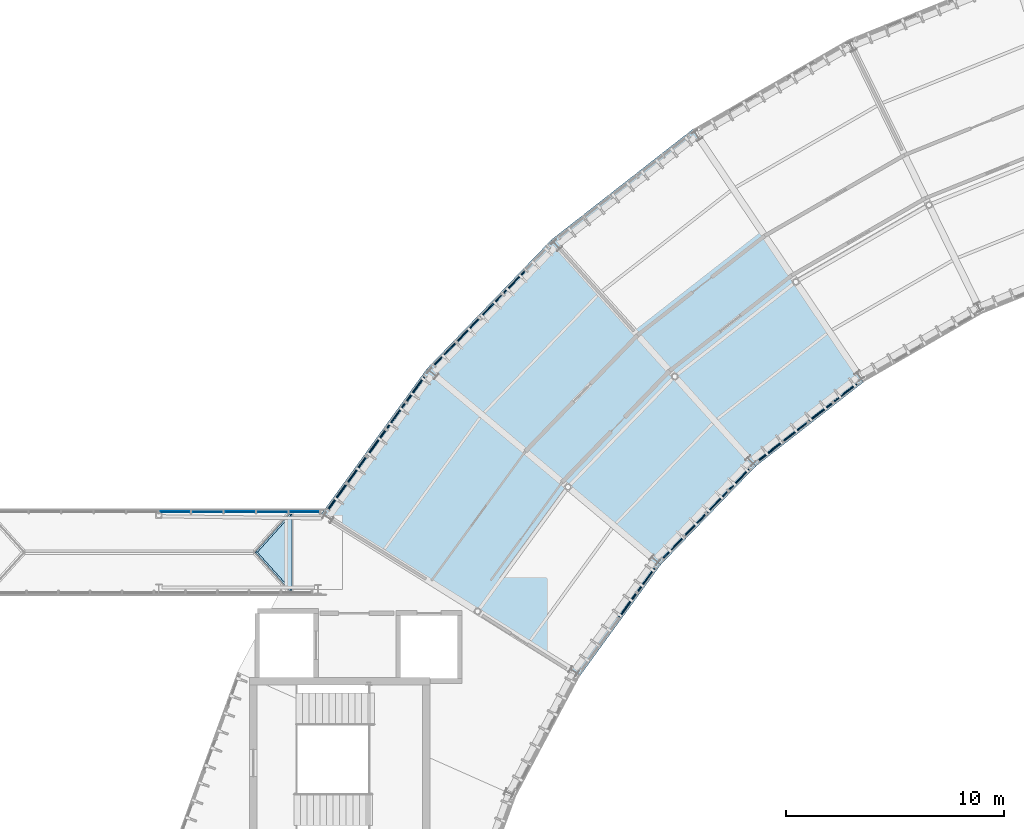
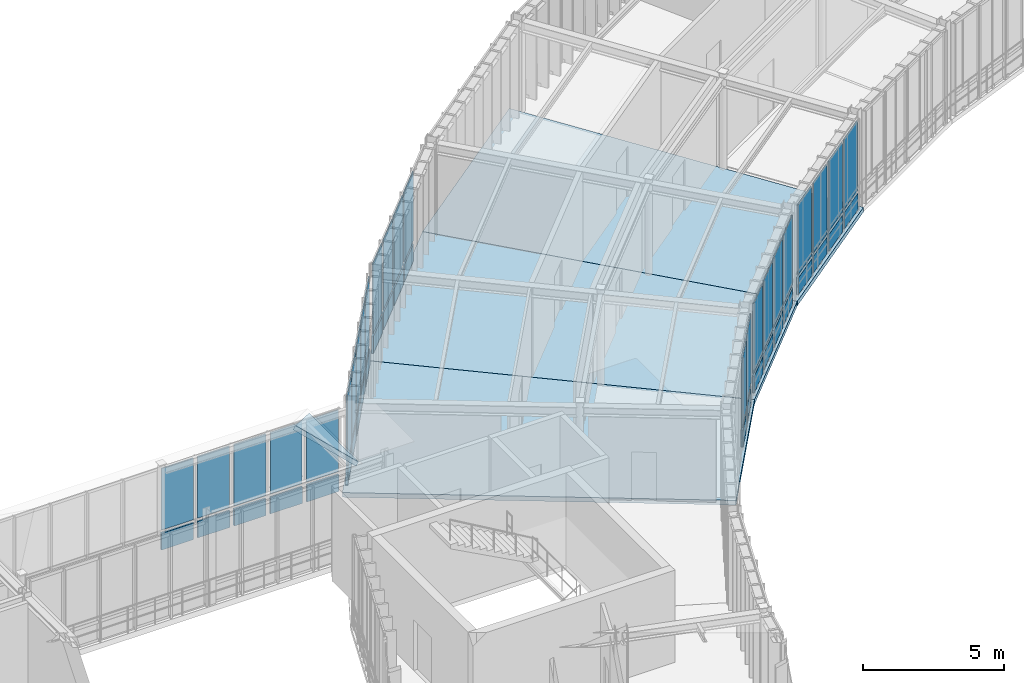
# One storey, part 26 of 52: 48 plates, 4 slabs, 6 elements without a shape of their own.
"""IFC4 building model written with IfcOpenShell, lengths in metres."""

from ifc_helpers import new_model, si_unit, direction, frame, origin, origin_2d, place, context, subcontext, project, spatial, polyline, rectangle, outline, extrude, material, layer, layer_set, type_object, element, aggregate, save


model = new_model("IFC4")

# Units and contexts
model_context = context("Model", 3, precision=1e-05, world=origin(), true_north=direction((0.0, 1.0)))
body_context = subcontext(model_context, "Body", "Model", "MODEL_VIEW")
ifc_project = project(units=[si_unit("LENGTHUNIT", "METRE"), si_unit("AREAUNIT", "SQUARE_METRE"), si_unit("VOLUMEUNIT", "CUBIC_METRE"), si_unit("PLANEANGLEUNIT", "RADIAN"), si_unit("MASSUNIT", "GRAM", prefix="KILO"), si_unit("THERMODYNAMICTEMPERATUREUNIT", "KELVIN"), si_unit("POWERUNIT", "WATT")], contexts=[model_context])

# Site, building, storey
site_placement = place(None, origin())
site = spatial("IfcSite", under=ifc_project, at=site_placement, CompositionType="ELEMENT")
building_placement = place(site_placement, origin())
building = spatial("IfcBuilding", under=site, at=building_placement, Name="Solvatero Civic Police Headquarters", CompositionType="ELEMENT")
storey_placement = place(building_placement, frame((0.0, 0.0, 13.5)))
storey = spatial("IfcBuildingStorey", under=building, at=storey_placement, Name="L03", CompositionType="ELEMENT", Elevation=13.5)

# Curtain wall, plates
ifc_material_1 = material(Name="Anodized Bronze Aluminium", Category="aluminium")
ifc_layer_1 = layer(ifc_material_1, 0.179931640625)
ifc_layer_set_1 = layer_set([ifc_layer_1], Name="Anodized Bronze Aluminium")
curtain_wall_type_1 = type_object("IfcCurtainWallType", Name="CW-ARC-IN", PredefinedType="USERDEFINED", material=ifc_layer_set_1)
curtain_wall_1_placement = place(storey_placement, origin())
curtain_wall_1 = element("IfcCurtainWall", 1, at=curtain_wall_1_placement, inside=storey, type_object=curtain_wall_type_1, Name="Curtain Wall CW-R2-L03-ARC-IN-B06", ObjectType="UNITISED", PredefinedType="USERDEFINED")
ifc_material_2 = material(Name="Triple Low-E Laminated Glass", Category="glass")
ifc_layer_2 = layer(ifc_material_2, 0.0380859375)
ifc_layer_set_2 = layer_set([ifc_layer_2], Name="Triple Low-E Laminated Glass")
plate_type_1 = type_object("IfcPlateType", Name="CWP-GLZ-38", PredefinedType="CURTAIN_PANEL", material=ifc_layer_set_2)
plate_1_placement = place(storey_placement, frame((68.016845703125, 62.818359375, 0.91015625), z_axis=(0.0, 0.0, 1.0), x_axis=(-0.788010753607, -0.615661475326, 0.0)))
plate_1 = element("IfcPlate", 2, at=plate_1_placement, type_object=plate_type_1, Name="CW-R2-L03-ARC-IN-B06 Vision Glazing 1", PredefinedType="CURTAIN_PANEL", context=body_context, shape_type="SweptSolid", body=[
    extrude(rectangle(XDim=1.28173828125, YDim=0.0380859375, at=origin_2d()), origin(), (0.0, 0.0, 1.0), 3.030029296875),
])
plate_2_placement = place(storey_placement, frame((65.712890625, 61.0185546875, 0.91015625), z_axis=(0.0, 0.0, 1.0), x_axis=(-0.788010753607, -0.615661475326, 0.0)))
plate_2 = element("IfcPlate", 3, at=plate_2_placement, type_object=plate_type_1, Name="CW-R2-L03-ARC-IN-B06 Vision Glazing 3", PredefinedType="CURTAIN_PANEL", context=body_context, shape_type="SweptSolid", body=[
    extrude(rectangle(XDim=1.28173828125, YDim=0.0380859375, at=origin_2d()), origin(), (0.0, 0.0, 1.0), 3.030029296875),
])

ifc_layer_3 = layer(ifc_material_1, 0.179931640625)
ifc_layer_set_3 = layer_set([ifc_layer_3], Name="Anodized Bronze Aluminium")
curtain_wall_type_2 = type_object("IfcCurtainWallType", Name="CW-ARC-OUT", PredefinedType="USERDEFINED", material=ifc_layer_set_3)
curtain_wall_2_placement = place(storey_placement, origin())
curtain_wall_2 = element("IfcCurtainWall", 4, at=curtain_wall_2_placement, inside=storey, type_object=curtain_wall_type_2, Name="Curtain Wall CW-R2-L03-ARC-OUT-B07", ObjectType="UNITISED", PredefinedType="USERDEFINED")
plate_3_placement = place(storey_placement, frame((52.8115234375, 67.90283203125, 0.91015625), z_axis=(0.0, 0.0, 1.0), x_axis=(-0.694645815505, -0.719351924305, 0.0)))
plate_3 = element("IfcPlate", 5, at=plate_3_placement, type_object=plate_type_1, Name="CW-R2-L03-ARC-OUT-B07 Vision Glazing 2", PredefinedType="CURTAIN_PANEL", context=body_context, shape_type="SweptSolid", body=[
    extrude(rectangle(XDim=1.3505859375, YDim=0.0380859375, at=origin_2d()), origin(), (0.0, 0.0, 1.0), 3.030029296875),
])
plate_4_placement = place(storey_placement, frame((50.685302734375, 65.700927734375, 0.91015625), z_axis=(0.0, 0.0, 1.0), x_axis=(-0.694645815505, -0.719351924305, 0.0)))
plate_4 = element("IfcPlate", 6, at=plate_4_placement, type_object=plate_type_1, Name="CW-R2-L03-ARC-OUT-B07 Vision Glazing 4", PredefinedType="CURTAIN_PANEL", context=body_context, shape_type="SweptSolid", body=[
    extrude(rectangle(XDim=1.3505859375, YDim=0.0380859375, at=origin_2d()), origin(), (0.0, 0.0, 1.0), 3.030029296875),
])

curtain_wall_3_placement = place(storey_placement, origin())
curtain_wall_3 = element("IfcCurtainWall", 7, at=curtain_wall_3_placement, inside=storey, type_object=curtain_wall_type_1, Name="Curtain Wall CW-R2-L03-ARC-IN-B07", ObjectType="UNITISED", PredefinedType="USERDEFINED")
plate_5_placement = place(storey_placement, frame((63.1455078125, 58.843994140625, 0.91015625), z_axis=(0.0, 0.0, 1.0), x_axis=(-0.694658370459, -0.719339800339, 0.0)))
plate_5 = element("IfcPlate", 8, at=plate_5_placement, type_object=plate_type_1, Name="CW-R2-L03-ARC-IN-B07 Vision Glazing 1", PredefinedType="CURTAIN_PANEL", context=body_context, shape_type="SweptSolid", body=[
    extrude(rectangle(XDim=1.28173828125, YDim=0.0380859375, at=origin_2d()), origin(), (0.0, 0.0, 1.0), 3.030029296875),
])
plate_6_placement = place(storey_placement, frame((61.11474609375, 56.740966796875, 0.91015625), z_axis=(0.0, 0.0, 1.0), x_axis=(-0.694658370459, -0.719339800339, 0.0)))
plate_6 = element("IfcPlate", 9, at=plate_6_placement, type_object=plate_type_1, Name="CW-R2-L03-ARC-IN-B07 Vision Glazing 3", PredefinedType="CURTAIN_PANEL", context=body_context, shape_type="SweptSolid", body=[
    extrude(rectangle(XDim=1.28173828125, YDim=0.0380859375, at=origin_2d()), origin(), (0.0, 0.0, 1.0), 3.030029296875),
])

curtain_wall_4_placement = place(storey_placement, origin())
curtain_wall_4 = element("IfcCurtainWall", 10, at=curtain_wall_4_placement, inside=storey, type_object=curtain_wall_type_2, Name="Curtain Wall CW-R2-L03-ARC-OUT-B08", ObjectType="UNITISED", PredefinedType="USERDEFINED")
plate_7_placement = place(storey_placement, frame((47.380615234375, 61.7626953125, 0.91015625), z_axis=(0.0, 0.0, 1.0), x_axis=(-0.587785252292, -0.809016994375, 0.0)))
plate_7 = element("IfcPlate", 11, at=plate_7_placement, type_object=plate_type_1, Name="CW-R2-L03-ARC-OUT-B08 Vision Glazing 2", PredefinedType="CURTAIN_PANEL", context=body_context, shape_type="SweptSolid", body=[
    extrude(rectangle(XDim=1.3505859375, YDim=0.0380859375, at=origin_2d()), origin(), (0.0, 0.0, 1.0), 3.030029296875),
])
plate_8_placement = place(storey_placement, frame((45.58154296875, 59.286376953125, 0.91015625), z_axis=(0.0, 0.0, 1.0), x_axis=(-0.587785252292, -0.809016994375, 0.0)))
plate_8 = element("IfcPlate", 12, at=plate_8_placement, type_object=plate_type_1, Name="CW-R2-L03-ARC-OUT-B08 Vision Glazing 4", PredefinedType="CURTAIN_PANEL", context=body_context, shape_type="SweptSolid", body=[
    extrude(rectangle(XDim=1.3505859375, YDim=0.0380859375, at=origin_2d()), origin(), (0.0, 0.0, 1.0), 3.030029296875),
])

# Curtain wall, plate
curtain_wall_5_placement = place(storey_placement, origin())
curtain_wall_5 = element("IfcCurtainWall", 13, at=curtain_wall_5_placement, inside=storey, type_object=curtain_wall_type_1, Name="Curtain Wall CW-R2-L03-ARC-IN-B08", ObjectType="UNITISED", PredefinedType="USERDEFINED")
plate_9_placement = place(storey_placement, frame((58.874755859375, 54.22998046875, 0.91015625), z_axis=(0.0, 0.0, 1.0), x_axis=(-0.587771132193, -0.80902725304, 0.0)))
plate_9 = element("IfcPlate", 14, at=plate_9_placement, type_object=plate_type_1, Name="CW-R2-L03-ARC-IN-B08 Vision Glazing 1", PredefinedType="CURTAIN_PANEL", context=body_context, shape_type="SweptSolid", body=[
    extrude(rectangle(XDim=1.28173828125, YDim=0.0380859375, at=origin_2d()), origin(), (0.0, 0.0, 1.0), 3.030029296875),
])

# Curtain wall, plates
ifc_layer_4 = layer(ifc_material_1, 0.179931640625)
ifc_layer_set_4 = layer_set([ifc_layer_4], Name="Anodized Bronze Aluminium")
curtain_wall_type_3 = type_object("IfcCurtainWallType", Name="CW-SB-GLZ", PredefinedType="USERDEFINED", material=ifc_layer_set_4)
curtain_wall_6_placement = place(storey_placement, origin())
curtain_wall_6 = element("IfcCurtainWall", 15, at=curtain_wall_6_placement, inside=storey, type_object=curtain_wall_type_3, Name="Curtain Wall CW-R2-L03-SB1-N", ObjectType="UNITISED", PredefinedType="USERDEFINED")
plate_10_placement = place(storey_placement, frame((38.72509765625, 57.35009765625, 0.91015625), z_axis=(0.0, 0.0, 1.0), x_axis=(1.0, 0.0, 0.0)))
plate_10 = element("IfcPlate", 16, at=plate_10_placement, type_object=plate_type_1, Name="CW-R2-L03-SB1-N Vision Glazing 7", PredefinedType="CURTAIN_PANEL", context=body_context, shape_type="SweptSolid", body=[
    extrude(rectangle(XDim=1.31005859375, YDim=0.0380859375, at=origin_2d()), origin(), (0.0, 0.0, 1.0), 2.679931640625),
])
plate_11_placement = place(storey_placement, frame((41.705078125, 57.35009765625, 0.91015625), z_axis=(0.0, 0.0, 1.0), x_axis=(1.0, 0.0, 0.0)))
plate_11 = element("IfcPlate", 17, at=plate_11_placement, type_object=plate_type_1, Name="CW-R2-L03-SB1-N Vision Glazing 9", PredefinedType="CURTAIN_PANEL", context=body_context, shape_type="SweptSolid", body=[
    extrude(rectangle(XDim=1.31005859375, YDim=0.0380859375, at=origin_2d()), origin(), (0.0, 0.0, 1.0), 2.679931640625),
])

# Plate
ifc_material_3 = material(Name="Acoustic Ballistic Laminated Glass", Category="glass")
ifc_layer_5 = layer(ifc_material_3, 0.0439453125)
ifc_layer_set_5 = layer_set([ifc_layer_5], Name="Acoustic Ballistic Laminated Glass")
plate_type_2 = type_object("IfcPlateType", Name="CWP-GLZ-44", PredefinedType="CURTAIN_PANEL", material=ifc_layer_set_5)
plate_12_placement = place(storey_placement, frame((66.864990234375, 61.91845703125, 0.91015625), z_axis=(0.0, 0.0, 1.0), x_axis=(-0.788010753607, -0.615661475326, 0.0)))
plate_12 = element("IfcPlate", 18, at=plate_12_placement, type_object=plate_type_2, Name="CW-R2-L03-ARC-IN-B06 Vision Glazing 2", PredefinedType="CURTAIN_PANEL", context=body_context, shape_type="SweptSolid", body=[
    extrude(rectangle(XDim=1.28173828125, YDim=0.0439453125, at=origin_2d()), origin(), (0.0, 0.0, 1.0), 3.030029296875),
])

plate_13_placement = place(storey_placement, frame((64.56103515625, 60.118408203125, 0.91015625), z_axis=(0.0, 0.0, 1.0), x_axis=(-0.788010753607, -0.615661475326, 0.0)))
plate_13 = element("IfcPlate", 19, at=plate_13_placement, type_object=plate_type_2, Name="CW-R2-L03-ARC-IN-B06 Vision Glazing 4", PredefinedType="CURTAIN_PANEL", context=body_context, shape_type="SweptSolid", body=[
    extrude(rectangle(XDim=1.28173828125, YDim=0.0439453125, at=origin_2d()), origin(), (0.0, 0.0, 1.0), 3.030029296875),
])

plate_14_placement = place(storey_placement, frame((51.748291015625, 66.802001953125, 0.91015625), z_axis=(0.0, 0.0, 1.0), x_axis=(-0.694645815505, -0.719351924305, 0.0)))
plate_14 = element("IfcPlate", 20, at=plate_14_placement, type_object=plate_type_2, Name="CW-R2-L03-ARC-OUT-B07 Vision Glazing 3", PredefinedType="CURTAIN_PANEL", context=body_context, shape_type="SweptSolid", body=[
    extrude(rectangle(XDim=1.3505859375, YDim=0.0439453125, at=origin_2d()), origin(), (0.0, 0.0, 1.0), 3.030029296875),
])

plate_15_placement = place(storey_placement, frame((49.6220703125, 64.60009765625, 0.91015625), z_axis=(0.0, 0.0, 1.0), x_axis=(-0.694645815505, -0.719351924305, 0.0)))
plate_15 = element("IfcPlate", 21, at=plate_15_placement, type_object=plate_type_2, Name="CW-R2-L03-ARC-OUT-B07 Vision Glazing 5", PredefinedType="CURTAIN_PANEL", context=body_context, shape_type="SweptSolid", body=[
    extrude(rectangle(XDim=1.3505859375, YDim=0.0439453125, at=origin_2d()), origin(), (0.0, 0.0, 1.0), 3.030029296875),
])

plate_16_placement = place(storey_placement, frame((62.130126953125, 57.79248046875, 0.91015625), z_axis=(0.0, 0.0, 1.0), x_axis=(-0.694658370459, -0.719339800339, 0.0)))
plate_16 = element("IfcPlate", 22, at=plate_16_placement, type_object=plate_type_2, Name="CW-R2-L03-ARC-IN-B07 Vision Glazing 2", PredefinedType="CURTAIN_PANEL", context=body_context, shape_type="SweptSolid", body=[
    extrude(rectangle(XDim=1.28173828125, YDim=0.0439453125, at=origin_2d()), origin(), (0.0, 0.0, 1.0), 3.030029296875),
])

plate_17_placement = place(storey_placement, frame((60.099365234375, 55.689453125, 0.91015625), z_axis=(0.0, 0.0, 1.0), x_axis=(-0.694658370459, -0.719339800339, 0.0)))
plate_17 = element("IfcPlate", 23, at=plate_17_placement, type_object=plate_type_2, Name="CW-R2-L03-ARC-IN-B07 Vision Glazing 4", PredefinedType="CURTAIN_PANEL", context=body_context, shape_type="SweptSolid", body=[
    extrude(rectangle(XDim=1.28173828125, YDim=0.0439453125, at=origin_2d()), origin(), (0.0, 0.0, 1.0), 3.030029296875),
])

plate_18_placement = place(storey_placement, frame((48.2802734375, 63.0009765625, 0.91015625), z_axis=(0.0, 0.0, 1.0), x_axis=(-0.587785252292, -0.809016994375, 0.0)))
plate_18 = element("IfcPlate", 24, at=plate_18_placement, type_object=plate_type_2, Name="CW-R2-L03-ARC-OUT-B08 Vision Glazing 1", PredefinedType="CURTAIN_PANEL", context=body_context, shape_type="SweptSolid", body=[
    extrude(rectangle(XDim=1.3505859375, YDim=0.0439453125, at=origin_2d()), origin(), (0.0, 0.0, 1.0), 3.030029296875),
])

plate_19_placement = place(storey_placement, frame((46.481201171875, 60.5244140625, 0.91015625), z_axis=(0.0, 0.0, 1.0), x_axis=(-0.587785252292, -0.809016994375, 0.0)))
plate_19 = element("IfcPlate", 25, at=plate_19_placement, type_object=plate_type_2, Name="CW-R2-L03-ARC-OUT-B08 Vision Glazing 3", PredefinedType="CURTAIN_PANEL", context=body_context, shape_type="SweptSolid", body=[
    extrude(rectangle(XDim=1.3505859375, YDim=0.0439453125, at=origin_2d()), origin(), (0.0, 0.0, 1.0), 3.030029296875),
])

plate_20_placement = place(storey_placement, frame((44.681884765625, 58.048095703125, 0.91015625), z_axis=(0.0, 0.0, 1.0), x_axis=(-0.587785252292, -0.809016994375, 0.0)))
plate_20 = element("IfcPlate", 26, at=plate_20_placement, type_object=plate_type_2, Name="CW-R2-L03-ARC-OUT-B08 Vision Glazing 5", PredefinedType="CURTAIN_PANEL", context=body_context, shape_type="SweptSolid", body=[
    extrude(rectangle(XDim=1.3505859375, YDim=0.0439453125, at=origin_2d()), origin(), (0.0, 0.0, 1.0), 3.030029296875),
])

plate_21_placement = place(storey_placement, frame((58.015625, 53.047607421875, 0.91015625), z_axis=(0.0, 0.0, 1.0), x_axis=(-0.587771132193, -0.80902725304, 0.0)))
plate_21 = element("IfcPlate", 27, at=plate_21_placement, type_object=plate_type_2, Name="CW-R2-L03-ARC-IN-B08 Vision Glazing 2", PredefinedType="CURTAIN_PANEL", context=body_context, shape_type="SweptSolid", body=[
    extrude(rectangle(XDim=1.28173828125, YDim=0.0439453125, at=origin_2d()), origin(), (0.0, 0.0, 1.0), 3.030029296875),
])

plate_22_placement = place(storey_placement, frame((37.235107421875, 57.35009765625, 0.91015625), z_axis=(0.0, 0.0, 1.0), x_axis=(1.0, 0.0, 0.0)))
plate_22 = element("IfcPlate", 28, at=plate_22_placement, type_object=plate_type_2, Name="CW-R2-L03-SB1-N Vision Glazing 6", PredefinedType="CURTAIN_PANEL", context=body_context, shape_type="SweptSolid", body=[
    extrude(rectangle(XDim=1.31005859375, YDim=0.0439453125, at=origin_2d()), origin(), (0.0, 0.0, 1.0), 2.679931640625),
])

plate_23_placement = place(storey_placement, frame((40.215087890625, 57.35009765625, 0.91015625), z_axis=(0.0, 0.0, 1.0), x_axis=(1.0, 0.0, 0.0)))
plate_23 = element("IfcPlate", 29, at=plate_23_placement, type_object=plate_type_2, Name="CW-R2-L03-SB1-N Vision Glazing 8", PredefinedType="CURTAIN_PANEL", context=body_context, shape_type="SweptSolid", body=[
    extrude(rectangle(XDim=1.31005859375, YDim=0.0439453125, at=origin_2d()), origin(), (0.0, 0.0, 1.0), 2.679931640625),
])

plate_24_placement = place(storey_placement, frame((43.195068359375, 57.35009765625, 0.91015625), z_axis=(0.0, 0.0, 1.0), x_axis=(1.0, 0.0, 0.0)))
plate_24 = element("IfcPlate", 30, at=plate_24_placement, type_object=plate_type_2, Name="CW-R2-L03-SB1-N Vision Glazing 10", PredefinedType="CURTAIN_PANEL", context=body_context, shape_type="SweptSolid", body=[
    extrude(rectangle(XDim=1.31005859375, YDim=0.0439453125, at=origin_2d()), origin(), (0.0, 0.0, 1.0), 2.679931640625),
])

ifc_material_4 = material(Name="Insulated Bronze Aluminium Spandrel", Category="aluminium")
ifc_layer_6 = layer(ifc_material_4, 0.06005859375)
ifc_layer_set_6 = layer_set([ifc_layer_6], Name="Insulated Bronze Aluminium Spandrel")
plate_type_3 = type_object("IfcPlateType", Name="CWP-SPN-60", PredefinedType="CURTAIN_PANEL", material=ifc_layer_set_6)
plate_25_placement = place(storey_placement, frame((68.016845703125, 62.818359375, 0.06005859375), z_axis=(0.0, 0.0, 1.0), x_axis=(-0.788010753607, -0.615661475326, 0.0)))
plate_25 = element("IfcPlate", 31, at=plate_25_placement, type_object=plate_type_3, Name="CW-R2-L03-ARC-IN-B06 Spandrel Panel 1", PredefinedType="CURTAIN_PANEL", context=body_context, shape_type="SweptSolid", body=[
    extrude(rectangle(XDim=1.28173828125, YDim=0.06005859375, at=origin_2d()), origin(), (0.0, 0.0, 1.0), 0.72998046875),
])

plate_26_placement = place(storey_placement, frame((65.712890625, 61.0185546875, 0.06005859375), z_axis=(0.0, 0.0, 1.0), x_axis=(-0.788010753607, -0.615661475326, 0.0)))
plate_26 = element("IfcPlate", 32, at=plate_26_placement, type_object=plate_type_3, Name="CW-R2-L03-ARC-IN-B06 Spandrel Panel 3", PredefinedType="CURTAIN_PANEL", context=body_context, shape_type="SweptSolid", body=[
    extrude(rectangle(XDim=1.28173828125, YDim=0.06005859375, at=origin_2d()), origin(), (0.0, 0.0, 1.0), 0.72998046875),
])

plate_27_placement = place(storey_placement, frame((52.8115234375, 67.90283203125, 0.06005859375), z_axis=(0.0, 0.0, 1.0), x_axis=(-0.694645815505, -0.719351924305, 0.0)))
plate_27 = element("IfcPlate", 33, at=plate_27_placement, type_object=plate_type_3, Name="CW-R2-L03-ARC-OUT-B07 Spandrel Panel 2", PredefinedType="CURTAIN_PANEL", context=body_context, shape_type="SweptSolid", body=[
    extrude(rectangle(XDim=1.3505859375, YDim=0.06005859375, at=origin_2d()), origin(), (0.0, 0.0, 1.0), 0.72998046875),
])

plate_28_placement = place(storey_placement, frame((50.685302734375, 65.700927734375, 0.06005859375), z_axis=(0.0, 0.0, 1.0), x_axis=(-0.694645815505, -0.719351924305, 0.0)))
plate_28 = element("IfcPlate", 34, at=plate_28_placement, type_object=plate_type_3, Name="CW-R2-L03-ARC-OUT-B07 Spandrel Panel 4", PredefinedType="CURTAIN_PANEL", context=body_context, shape_type="SweptSolid", body=[
    extrude(rectangle(XDim=1.3505859375, YDim=0.06005859375, at=origin_2d()), origin(), (0.0, 0.0, 1.0), 0.72998046875),
])

plate_29_placement = place(storey_placement, frame((63.1455078125, 58.843994140625, 0.06005859375), z_axis=(0.0, 0.0, 1.0), x_axis=(-0.694658370459, -0.719339800339, 0.0)))
plate_29 = element("IfcPlate", 35, at=plate_29_placement, type_object=plate_type_3, Name="CW-R2-L03-ARC-IN-B07 Spandrel Panel 1", PredefinedType="CURTAIN_PANEL", context=body_context, shape_type="SweptSolid", body=[
    extrude(rectangle(XDim=1.28173828125, YDim=0.06005859375, at=origin_2d()), origin(), (0.0, 0.0, 1.0), 0.72998046875),
])

plate_30_placement = place(storey_placement, frame((61.11474609375, 56.740966796875, 0.06005859375), z_axis=(0.0, 0.0, 1.0), x_axis=(-0.694658370459, -0.719339800339, 0.0)))
plate_30 = element("IfcPlate", 36, at=plate_30_placement, type_object=plate_type_3, Name="CW-R2-L03-ARC-IN-B07 Spandrel Panel 3", PredefinedType="CURTAIN_PANEL", context=body_context, shape_type="SweptSolid", body=[
    extrude(rectangle(XDim=1.28173828125, YDim=0.06005859375, at=origin_2d()), origin(), (0.0, 0.0, 1.0), 0.72998046875),
])

plate_31_placement = place(storey_placement, frame((47.380615234375, 61.7626953125, 0.06005859375), z_axis=(0.0, 0.0, 1.0), x_axis=(-0.587785252292, -0.809016994375, 0.0)))
plate_31 = element("IfcPlate", 37, at=plate_31_placement, type_object=plate_type_3, Name="CW-R2-L03-ARC-OUT-B08 Spandrel Panel 2", PredefinedType="CURTAIN_PANEL", context=body_context, shape_type="SweptSolid", body=[
    extrude(rectangle(XDim=1.3505859375, YDim=0.06005859375, at=origin_2d()), origin(), (0.0, 0.0, 1.0), 0.72998046875),
])

plate_32_placement = place(storey_placement, frame((45.58154296875, 59.286376953125, 0.06005859375), z_axis=(0.0, 0.0, 1.0), x_axis=(-0.587785252292, -0.809016994375, 0.0)))
plate_32 = element("IfcPlate", 38, at=plate_32_placement, type_object=plate_type_3, Name="CW-R2-L03-ARC-OUT-B08 Spandrel Panel 4", PredefinedType="CURTAIN_PANEL", context=body_context, shape_type="SweptSolid", body=[
    extrude(rectangle(XDim=1.3505859375, YDim=0.06005859375, at=origin_2d()), origin(), (0.0, 0.0, 1.0), 0.72998046875),
])

plate_33_placement = place(storey_placement, frame((58.874755859375, 54.22998046875, 0.06005859375), z_axis=(0.0, 0.0, 1.0), x_axis=(-0.587771132193, -0.80902725304, 0.0)))
plate_33 = element("IfcPlate", 39, at=plate_33_placement, type_object=plate_type_3, Name="CW-R2-L03-ARC-IN-B08 Spandrel Panel 1", PredefinedType="CURTAIN_PANEL", context=body_context, shape_type="SweptSolid", body=[
    extrude(rectangle(XDim=1.28173828125, YDim=0.06005859375, at=origin_2d()), origin(), (0.0, 0.0, 1.0), 0.72998046875),
])

plate_34_placement = place(storey_placement, frame((38.72509765625, 57.35009765625, 0.06005859375), z_axis=(0.0, 0.0, 1.0), x_axis=(1.0, 0.0, 0.0)))
plate_34 = element("IfcPlate", 40, at=plate_34_placement, type_object=plate_type_3, Name="CW-R2-L03-SB1-N Spandrel Panel 7", PredefinedType="CURTAIN_PANEL", context=body_context, shape_type="SweptSolid", body=[
    extrude(rectangle(XDim=1.31005859375, YDim=0.06005859375, at=origin_2d()), origin(), (0.0, 0.0, 1.0), 0.72998046875),
])

plate_35_placement = place(storey_placement, frame((41.705078125, 57.35009765625, 0.06005859375), z_axis=(0.0, 0.0, 1.0), x_axis=(1.0, 0.0, 0.0)))
plate_35 = element("IfcPlate", 41, at=plate_35_placement, type_object=plate_type_3, Name="CW-R2-L03-SB1-N Spandrel Panel 9", PredefinedType="CURTAIN_PANEL", context=body_context, shape_type="SweptSolid", body=[
    extrude(rectangle(XDim=1.31005859375, YDim=0.06005859375, at=origin_2d()), origin(), (0.0, 0.0, 1.0), 0.72998046875),
])

ifc_material_5 = material(Name="Limestone Veneer Spandrel Panel", Category="masonry")
ifc_layer_7 = layer(ifc_material_5, 0.074951171875)
ifc_layer_set_7 = layer_set([ifc_layer_7], Name="Limestone Veneer Spandrel Panel")
plate_type_4 = type_object("IfcPlateType", Name="CWP-SPN-75", PredefinedType="CURTAIN_PANEL", material=ifc_layer_set_7)
plate_36_placement = place(storey_placement, frame((66.864990234375, 61.91845703125, 0.06005859375), z_axis=(0.0, 0.0, 1.0), x_axis=(-0.788010753607, -0.615661475326, 0.0)))
plate_36 = element("IfcPlate", 42, at=plate_36_placement, type_object=plate_type_4, Name="CW-R2-L03-ARC-IN-B06 Spandrel Panel 2", PredefinedType="CURTAIN_PANEL", context=body_context, shape_type="SweptSolid", body=[
    extrude(rectangle(XDim=1.28173828125, YDim=0.074951171875, at=origin_2d()), origin(), (0.0, 0.0, 1.0), 0.72998046875),
])

plate_37_placement = place(storey_placement, frame((64.56103515625, 60.118408203125, 0.06005859375), z_axis=(0.0, 0.0, 1.0), x_axis=(-0.788010753607, -0.615661475326, 0.0)))
plate_37 = element("IfcPlate", 43, at=plate_37_placement, type_object=plate_type_4, Name="CW-R2-L03-ARC-IN-B06 Spandrel Panel 4", PredefinedType="CURTAIN_PANEL", context=body_context, shape_type="SweptSolid", body=[
    extrude(rectangle(XDim=1.28173828125, YDim=0.074951171875, at=origin_2d()), origin(), (0.0, 0.0, 1.0), 0.72998046875),
])

aggregate(curtain_wall_1, [plate_25, plate_1, plate_36, plate_12, plate_26, plate_2, plate_37, plate_13])

plate_38_placement = place(storey_placement, frame((51.748291015625, 66.802001953125, 0.06005859375), z_axis=(0.0, 0.0, 1.0), x_axis=(-0.694645815505, -0.719351924305, 0.0)))
plate_38 = element("IfcPlate", 44, at=plate_38_placement, type_object=plate_type_4, Name="CW-R2-L03-ARC-OUT-B07 Spandrel Panel 3", PredefinedType="CURTAIN_PANEL", context=body_context, shape_type="SweptSolid", body=[
    extrude(rectangle(XDim=1.3505859375, YDim=0.074951171875, at=origin_2d()), origin(), (0.0, 0.0, 1.0), 0.72998046875),
])

plate_39_placement = place(storey_placement, frame((49.6220703125, 64.60009765625, 0.06005859375), z_axis=(0.0, 0.0, 1.0), x_axis=(-0.694645815505, -0.719351924305, 0.0)))
plate_39 = element("IfcPlate", 45, at=plate_39_placement, type_object=plate_type_4, Name="CW-R2-L03-ARC-OUT-B07 Spandrel Panel 5", PredefinedType="CURTAIN_PANEL", context=body_context, shape_type="SweptSolid", body=[
    extrude(rectangle(XDim=1.3505859375, YDim=0.074951171875, at=origin_2d()), origin(), (0.0, 0.0, 1.0), 0.72998046875),
])

aggregate(curtain_wall_2, [plate_27, plate_3, plate_38, plate_14, plate_28, plate_4, plate_39, plate_15])

plate_40_placement = place(storey_placement, frame((62.130126953125, 57.79248046875, 0.06005859375), z_axis=(0.0, 0.0, 1.0), x_axis=(-0.694658370459, -0.719339800339, 0.0)))
plate_40 = element("IfcPlate", 46, at=plate_40_placement, type_object=plate_type_4, Name="CW-R2-L03-ARC-IN-B07 Spandrel Panel 2", PredefinedType="CURTAIN_PANEL", context=body_context, shape_type="SweptSolid", body=[
    extrude(rectangle(XDim=1.28173828125, YDim=0.074951171875, at=origin_2d()), origin(), (0.0, 0.0, 1.0), 0.72998046875),
])

plate_41_placement = place(storey_placement, frame((60.099365234375, 55.689453125, 0.06005859375), z_axis=(0.0, 0.0, 1.0), x_axis=(-0.694658370459, -0.719339800339, 0.0)))
plate_41 = element("IfcPlate", 47, at=plate_41_placement, type_object=plate_type_4, Name="CW-R2-L03-ARC-IN-B07 Spandrel Panel 4", PredefinedType="CURTAIN_PANEL", context=body_context, shape_type="SweptSolid", body=[
    extrude(rectangle(XDim=1.28173828125, YDim=0.074951171875, at=origin_2d()), origin(), (0.0, 0.0, 1.0), 0.72998046875),
])

aggregate(curtain_wall_3, [plate_29, plate_5, plate_40, plate_16, plate_30, plate_6, plate_41, plate_17])

plate_42_placement = place(storey_placement, frame((48.2802734375, 63.0009765625, 0.06005859375), z_axis=(0.0, 0.0, 1.0), x_axis=(-0.587785252292, -0.809016994375, 0.0)))
plate_42 = element("IfcPlate", 48, at=plate_42_placement, type_object=plate_type_4, Name="CW-R2-L03-ARC-OUT-B08 Spandrel Panel 1", PredefinedType="CURTAIN_PANEL", context=body_context, shape_type="SweptSolid", body=[
    extrude(rectangle(XDim=1.3505859375, YDim=0.074951171875, at=origin_2d()), origin(), (0.0, 0.0, 1.0), 0.72998046875),
])

plate_43_placement = place(storey_placement, frame((46.481201171875, 60.5244140625, 0.06005859375), z_axis=(0.0, 0.0, 1.0), x_axis=(-0.587785252292, -0.809016994375, 0.0)))
plate_43 = element("IfcPlate", 49, at=plate_43_placement, type_object=plate_type_4, Name="CW-R2-L03-ARC-OUT-B08 Spandrel Panel 3", PredefinedType="CURTAIN_PANEL", context=body_context, shape_type="SweptSolid", body=[
    extrude(rectangle(XDim=1.3505859375, YDim=0.074951171875, at=origin_2d()), origin(), (0.0, 0.0, 1.0), 0.72998046875),
])

plate_44_placement = place(storey_placement, frame((44.681884765625, 58.048095703125, 0.06005859375), z_axis=(0.0, 0.0, 1.0), x_axis=(-0.587785252292, -0.809016994375, 0.0)))
plate_44 = element("IfcPlate", 50, at=plate_44_placement, type_object=plate_type_4, Name="CW-R2-L03-ARC-OUT-B08 Spandrel Panel 5", PredefinedType="CURTAIN_PANEL", context=body_context, shape_type="SweptSolid", body=[
    extrude(rectangle(XDim=1.3505859375, YDim=0.074951171875, at=origin_2d()), origin(), (0.0, 0.0, 1.0), 0.72998046875),
])

aggregate(curtain_wall_4, [plate_42, plate_18, plate_31, plate_7, plate_43, plate_19, plate_32, plate_8, plate_44, plate_20])

plate_45_placement = place(storey_placement, frame((58.015625, 53.047607421875, 0.06005859375), z_axis=(0.0, 0.0, 1.0), x_axis=(-0.587771132193, -0.80902725304, 0.0)))
plate_45 = element("IfcPlate", 51, at=plate_45_placement, type_object=plate_type_4, Name="CW-R2-L03-ARC-IN-B08 Spandrel Panel 2", PredefinedType="CURTAIN_PANEL", context=body_context, shape_type="SweptSolid", body=[
    extrude(rectangle(XDim=1.28173828125, YDim=0.074951171875, at=origin_2d()), origin(), (0.0, 0.0, 1.0), 0.72998046875),
])

aggregate(curtain_wall_5, [plate_33, plate_9, plate_45, plate_21])

plate_46_placement = place(storey_placement, frame((37.235107421875, 57.35009765625, 0.06005859375), z_axis=(0.0, 0.0, 1.0), x_axis=(1.0, 0.0, 0.0)))
plate_46 = element("IfcPlate", 52, at=plate_46_placement, type_object=plate_type_4, Name="CW-R2-L03-SB1-N Spandrel Panel 6", PredefinedType="CURTAIN_PANEL", context=body_context, shape_type="SweptSolid", body=[
    extrude(rectangle(XDim=1.31005859375, YDim=0.074951171875, at=origin_2d()), origin(), (0.0, 0.0, 1.0), 0.72998046875),
])

plate_47_placement = place(storey_placement, frame((40.215087890625, 57.35009765625, 0.06005859375), z_axis=(0.0, 0.0, 1.0), x_axis=(1.0, 0.0, 0.0)))
plate_47 = element("IfcPlate", 53, at=plate_47_placement, type_object=plate_type_4, Name="CW-R2-L03-SB1-N Spandrel Panel 8", PredefinedType="CURTAIN_PANEL", context=body_context, shape_type="SweptSolid", body=[
    extrude(rectangle(XDim=1.31005859375, YDim=0.074951171875, at=origin_2d()), origin(), (0.0, 0.0, 1.0), 0.72998046875),
])

plate_48_placement = place(storey_placement, frame((43.195068359375, 57.35009765625, 0.06005859375), z_axis=(0.0, 0.0, 1.0), x_axis=(1.0, 0.0, 0.0)))
plate_48 = element("IfcPlate", 54, at=plate_48_placement, type_object=plate_type_4, Name="CW-R2-L03-SB1-N Spandrel Panel 10", PredefinedType="CURTAIN_PANEL", context=body_context, shape_type="SweptSolid", body=[
    extrude(rectangle(XDim=1.31005859375, YDim=0.074951171875, at=origin_2d()), origin(), (0.0, 0.0, 1.0), 0.72998046875),
])

aggregate(curtain_wall_6, [plate_46, plate_22, plate_34, plate_10, plate_47, plate_23, plate_35, plate_11, plate_48, plate_24])

# Slabs
ifc_material_6 = material(Name="Concrete C35/45", Category="concrete")
ifc_layer_8 = layer(ifc_material_6, 0.199951171875)
ifc_layer_set_8 = layer_set([ifc_layer_8], Name="Concrete C35/45")
slab_type_1 = type_object("IfcSlabType", Name="SLB-COMP-200", PredefinedType="FLOOR", material=ifc_layer_set_8)
slab_1_placement = place(storey_placement, frame((0.0, 0.0, -0.199951171875)))
element("IfcSlab", 55, at=slab_1_placement, inside=storey, type_object=slab_type_1, Name="L03 Operations Arc Floor Slab Bay 6", PredefinedType="FLOOR", context=body_context, shape_type="SweptSolid", body=[
    extrude(outline(polyline([(61.006103515625, 74.912109375), (68.834716796875, 63.305419921875), (63.88916015625, 59.44140625), (54.521240234375, 69.845458984375), (61.006103515625, 74.912109375)])), origin(), (0.0, 0.0, 1.0), 0.199951171875),
])
slab_2_placement = place(storey_placement, frame((0.0, 0.0, -0.199951171875)))
element("IfcSlab", 56, at=slab_2_placement, inside=storey, type_object=slab_type_1, Name="L03 Operations Arc Floor Slab Bay 7", PredefinedType="FLOOR", context=body_context, shape_type="SweptSolid", body=[
    extrude(outline(polyline([(54.52001953125, 69.843994140625), (63.8876953125, 59.440185546875), (59.528076171875, 54.92529296875), (48.803466796875, 63.924560546875), (54.52001953125, 69.843994140625)])), origin(), (0.0, 0.0, 1.0), 0.199951171875),
])
slab_3_placement = place(storey_placement, frame((0.0, 0.0, -0.199951171875)))
element("IfcSlab", 57, at=slab_3_placement, inside=storey, type_object=slab_type_1, Name="L03 Operations Arc Floor Slab Bay 8", PredefinedType="FLOOR", context=body_context, shape_type="SweptSolid", body=[
    extrude(outline(polyline([(48.80224609375, 63.9228515625), (59.52685546875, 54.923828125), (55.837890625, 49.846435546875), (43.965087890625, 57.26513671875), (48.80224609375, 63.9228515625)])), origin(), (0.0, 0.0, 1.0), 0.199951171875),
])
ifc_layer_9 = layer(ifc_material_6, 0.179931640625)
ifc_layer_set_9 = layer_set([ifc_layer_9], Name="Concrete C35/45")
slab_type_2 = type_object("IfcSlabType", Name="SLB-RF-COT-180", PredefinedType="ROOF", material=ifc_layer_set_9)
slab_4_placement = place(storey_placement, frame((42.60009765625, 57.25048828125, 3.93994140625), z_axis=(0.561369714476, 0.0, 0.827565129563), x_axis=(0.0, -1.0, 0.0)))
element("IfcSlab", 58, at=slab_4_placement, inside=storey, type_object=slab_type_2, Name="SB1R Lombard Hipped Roof Slab E", PredefinedType="ROOF", context=body_context, shape_type="SweptSolid", body=[
    extrude(outline(polyline([(0.0, 0.0), (3.5009765625, 0.0), (1.75048828125, -1.9039995010199013), (0.0, 0.0)])), origin(), (0.0, 0.0, -1.0), 0.179931640625),
])

save(model, "model.ifc")
